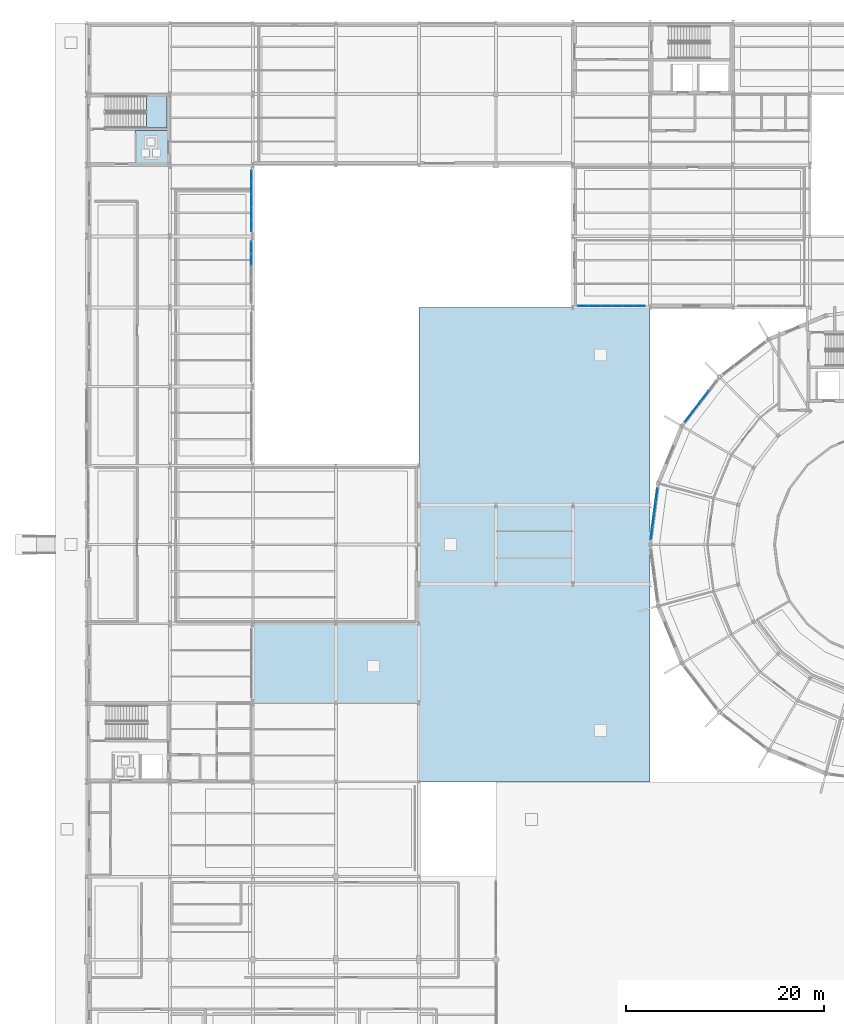
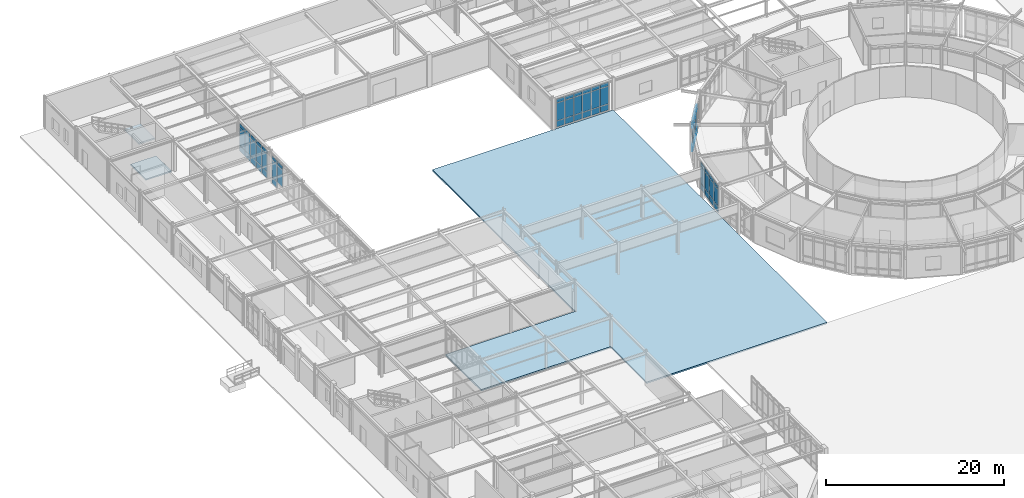
# One storey, part 67 of 101: 59 plates, 3 slabs, 6 elements without a shape of their own.
"""IFC4 building model written with IfcOpenShell, lengths in metres."""

import ifcopenshell
import ifcopenshell.guid

model = None  # the IFC model being written
_history = None  # IfcOwnerHistory: only IFC2X3 demands one
_inside = {}  # id of a spatial element -> (the spatial element, [elements in it])
_under = {}  # id of a project, library or spatial element -> (it, [spatial elements below it])
_declared = {}  # id of a project -> (the project, [libraries it declares])
_typed = {}  # id of a type object -> (the type object, [elements of that type])
_made_of = {}  # id of a material, layer set ... -> (it, [elements and type objects made of it])


def new_model(schema):
    """Start an empty IFC model of exactly this schema.

    Asked for "IFC4X3", IfcOpenShell would pick the latest addendum, in which some entities
    have other attributes; the version numbers below select the first issue.
    IFC2X3 requires an IfcOwnerHistory on every rooted entity: one is made here for all.
    """
    global model, _history
    if schema == "IFC4X3":
        model = ifcopenshell.file(schema_version=(4, 3, 0, 0))
    else:
        model = ifcopenshell.file(schema=schema)
    _inside.clear()
    _under.clear()
    _declared.clear()
    _typed.clear()
    _made_of.clear()
    _history = None
    if model.schema == "IFC2X3":
        org = make("IfcOrganization", Name="unknown")
        user = make(
            "IfcPersonAndOrganization",
            ThePerson=make("IfcPerson", FamilyName="unknown"),
            TheOrganization=org,
        )
        app = make(
            "IfcApplication",
            ApplicationDeveloper=org,
            Version="unknown",
            ApplicationFullName="unknown",
            ApplicationIdentifier="unknown",
        )
        _history = make(
            "IfcOwnerHistory",
            OwningUser=user,
            OwningApplication=app,
            ChangeAction="ADDED",
            CreationDate=0,
        )
    return model


def make(cls, **values):
    """One entity of the class cls with the attributes given. An attribute that is None is left unset."""
    return model.create_entity(
        cls, **{name: value for name, value in values.items() if value is not None}
    )


def rooted(cls, **values):
    """An entity with a GlobalId (a new one), such as an element, a storey or a relation."""
    return make(cls, GlobalId=ifcopenshell.guid.new(), OwnerHistory=_history, **values)


def si_unit(unit_type, name, prefix=None):
    """IfcSIUnit, for example si_unit("LENGTHUNIT", "METRE", prefix="MILLI")."""
    return make("IfcSIUnit", UnitType=unit_type, Prefix=prefix, Name=name)


def derived_unit(unit_type, elements):
    """IfcDerivedUnit: a product of units, each with its exponent."""
    return make(
        "IfcDerivedUnit",
        Elements=[
            make("IfcDerivedUnitElement", Unit=unit, Exponent=power)
            for unit, power in elements
        ],
        UnitType=unit_type,
    )


def assignment(units):
    """IfcUnitAssignment: the units of a project."""
    return None if units is None else make("IfcUnitAssignment", Units=units)


def point(xyz):
    """IfcCartesianPoint."""
    return None if xyz is None else make("IfcCartesianPoint", Coordinates=xyz)


def direction(xyz):
    """IfcDirection."""
    return None if xyz is None else make("IfcDirection", DirectionRatios=xyz)


def frame(location, z_axis=None, x_axis=None):
    """IfcAxis2Placement3D, a coordinate frame: its origin and axes. An axis left out is left unset."""
    return make(
        "IfcAxis2Placement3D",
        Location=point(location),
        Axis=direction(z_axis),
        RefDirection=direction(x_axis),
    )


def frame_2d(location, x_axis=None):
    """IfcAxis2Placement2D, a coordinate frame in the plane: its origin and x axis."""
    return make(
        "IfcAxis2Placement2D", Location=point(location), RefDirection=direction(x_axis)
    )


def origin():
    """The frame at (0, 0, 0) with its axes left unset."""
    return frame((0.0, 0.0, 0.0))


def origin_2d():
    """The frame at (0, 0) in the plane with its x axis left unset."""
    return frame_2d((0.0, 0.0))


def place(relative_to, where):
    """IfcLocalPlacement: puts the frame where relative to a parent placement (None: the world)."""
    return make(
        "IfcLocalPlacement", PlacementRelTo=relative_to, RelativePlacement=where
    )


def context(
    kind, dimensions, precision=None, world=None, true_north=None, identifier=None
):
    """IfcGeometricRepresentationContext, for example the 3D "Model" context."""
    return make(
        "IfcGeometricRepresentationContext",
        ContextIdentifier=identifier,
        ContextType=kind,
        CoordinateSpaceDimension=dimensions,
        Precision=precision,
        WorldCoordinateSystem=world,
        TrueNorth=true_north,
    )


def subcontext(parent, identifier, kind, view, scale=None):
    """IfcGeometricRepresentationSubContext, for example "Body" below "Model"."""
    return make(
        "IfcGeometricRepresentationSubContext",
        ContextIdentifier=identifier,
        ContextType=kind,
        ParentContext=parent,
        TargetScale=scale,
        TargetView=view,
    )


def project(units=None, contexts=None):
    """IfcProject with its units and contexts."""
    return rooted(
        "IfcProject",
        Name="project",
        RepresentationContexts=contexts,
        UnitsInContext=assignment(units),
    )


def spatial(cls, under=None, at=None, **own):
    """A site, building, storey or space (cls), placed at a placement, below another one or the project."""
    s = rooted(cls, ObjectPlacement=at, **own)
    if under is not None:
        _under.setdefault(under.id(), (under, []))[1].append(s)
    return s


def polyline(points):
    """IfcPolyline through the points."""
    return make("IfcPolyline", Points=[point(p) for p in points])


def profile(cls, at=None, kind="AREA", **sizes):
    """A parametric profile (cls). Its sizes go by their IFC names, for example OverallWidth=200.0."""
    return make(cls, ProfileType=kind, Position=at, **sizes)


def rectangle(**sizes):
    """IfcRectangleProfileDef."""
    return profile("IfcRectangleProfileDef", **sizes)


def outline(outer, holes=None, kind="AREA"):
    """IfcArbitraryClosedProfileDef: a profile drawn as a closed curve; with holes, ...WithVoids."""
    if holes is None:
        return make("IfcArbitraryClosedProfileDef", ProfileType=kind, OuterCurve=outer)
    return make(
        "IfcArbitraryProfileDefWithVoids",
        ProfileType=kind,
        OuterCurve=outer,
        InnerCurves=holes,
    )


def extrude(swept, where, along, depth):
    """IfcExtrudedAreaSolid: the profile swept, set in the frame where, extruded along a direction by depth."""
    return make(
        "IfcExtrudedAreaSolid",
        SweptArea=swept,
        Position=where,
        ExtrudedDirection=direction(along),
        Depth=depth,
    )


def shape(context_of_items, identifier, shape_type, items):
    """IfcShapeRepresentation: the items that make up one representation, for example the "Body"."""
    return make(
        "IfcShapeRepresentation",
        ContextOfItems=context_of_items,
        RepresentationIdentifier=identifier,
        RepresentationType=shape_type,
        Items=items,
    )


def material(Name=None, Category=None):
    """IfcMaterial."""
    return make("IfcMaterial", Name=Name, Category=Category)


def layer(
    of_material, thickness, ventilated=None, Name=None, Category=None, Priority=None
):
    """IfcMaterialLayer: one layer of a wall or slab, of a material (None: an air gap)."""
    return make(
        "IfcMaterialLayer",
        Material=of_material,
        LayerThickness=thickness,
        IsVentilated=ventilated,
        Name=Name,
        Category=Category,
        Priority=Priority,
    )


def layer_set(layers, Name=None):
    """IfcMaterialLayerSet."""
    return make("IfcMaterialLayerSet", MaterialLayers=layers, LayerSetName=Name)


def made_of(thing, what):
    """Note that an element or type object is made of a material, layer set ...; save() writes the relation."""
    if what is not None:
        _made_of.setdefault(what.id(), (what, []))[1].append(thing)
    return thing


def type_object(cls, material=None, **own):
    """A type object (cls), such as IfcWallType, which elements share."""
    return made_of(rooted(cls, **own), material)


def element(
    cls,
    number,
    at=None,
    inside=None,
    cuts=None,
    type_object=None,
    material=None,
    context=None,
    identifier="Body",
    shape_type=None,
    held_by="IfcProductDefinitionShape",
    body=None,
    shapes=None,
    **own,
):
    """One element of the class cls, such as IfcWall. Its Tag is "e" and its number.

    at: its placement. inside: the storey or other place that contains it. cuts: it is an
    opening in that element (IfcRelVoidsElement). A single representation is given by context,
    identifier, shape_type and body (its items); several are given by shapes. held_by: the class
    of the entity that holds the representations. save() writes the other relations.
    """
    e = rooted(cls, Tag="e%d" % number, ObjectPlacement=at, **own)
    if body is not None:
        shapes = [shape(context, identifier, shape_type, body)]
    if shapes is not None:
        e.Representation = make(held_by, Representations=shapes)
    if inside is not None:
        _inside.setdefault(inside.id(), (inside, []))[1].append(e)
    if cuts is not None:
        rooted(
            "IfcRelVoidsElement", RelatingBuildingElement=cuts, RelatedOpeningElement=e
        )
    if type_object is not None:
        _typed.setdefault(type_object.id(), (type_object, []))[1].append(e)
    return made_of(e, material)


def aggregate(whole, parts):
    """IfcRelAggregates: a whole, such as a stair, and the parts it consists of."""
    return rooted("IfcRelAggregates", RelatingObject=whole, RelatedObjects=parts)


def save(model, path):
    """Write the relations noted so far, then the file.

    IfcRelAggregates (storeys below a building ...), IfcRelContainedInSpatialStructure (elements
    in a storey), IfcRelDefinesByType, IfcRelAssociatesMaterial and IfcRelDeclares: one each for
    every whole, place, type object, material and project.
    """
    for whole, parts in _under.values():
        aggregate(whole, parts)
    for where, things in _inside.values():
        rooted(
            "IfcRelContainedInSpatialStructure",
            RelatedElements=things,
            RelatingStructure=where,
        )
    for kind, things in _typed.values():
        rooted("IfcRelDefinesByType", RelatedObjects=things, RelatingType=kind)
    for what, things in _made_of.values():
        rooted("IfcRelAssociatesMaterial", RelatedObjects=things, RelatingMaterial=what)
    for by, libraries in _declared.values():
        rooted("IfcRelDeclares", RelatingContext=by, RelatedDefinitions=libraries)
    model.write(path)


model = new_model("IFC4")

# Units and contexts
model_context = context("Model", 3, precision=1e-05, world=origin(), true_north=direction((0.0, 1.0)))
body_context = subcontext(model_context, "Body", "Model", "MODEL_VIEW")
ifc_project = project(units=[si_unit("LENGTHUNIT", "METRE"), si_unit("AREAUNIT", "SQUARE_METRE"), si_unit("VOLUMEUNIT", "CUBIC_METRE"), si_unit("PLANEANGLEUNIT", "RADIAN"), si_unit("MASSUNIT", "GRAM", prefix="KILO"), derived_unit("THERMALTRANSMITTANCEUNIT", [(si_unit("POWERUNIT", "WATT"), 1), (si_unit("AREAUNIT", "SQUARE_METRE"), -1), (si_unit("THERMODYNAMICTEMPERATUREUNIT", "KELVIN"), -1)])], contexts=[model_context])

# Site, building, storey
site_placement = place(None, origin())
site = spatial("IfcSite", under=ifc_project, at=site_placement, CompositionType="ELEMENT")
building_placement = place(site_placement, origin())
building = spatial("IfcBuilding", under=site, at=building_placement, Name="Yasenodar Specialist Clinic", CompositionType="ELEMENT")
storey_placement = place(building_placement, origin())
storey = spatial("IfcBuildingStorey", under=building, at=storey_placement, Name="L00", CompositionType="ELEMENT", Elevation=0.0)

# Curtain wall, plates
ifc_material_1 = material(Name="Bronze Anodized Aluminium and Triple Low-E Glass", Category="aluminium")
ifc_layer_1 = layer(ifc_material_1, 0.1669921875)
ifc_layer_set_1 = layer_set([ifc_layer_1], Name="Bronze Anodized Aluminium and Triple Low-E Glass")
curtain_wall_type_1 = type_object("IfcCurtainWallType", Name="CW-SYS-01", PredefinedType="USERDEFINED", material=ifc_layer_set_1)
curtain_wall_1_placement = place(storey_placement, origin())
curtain_wall_1 = element("IfcCurtainWall", 1, at=curtain_wall_1_placement, inside=storey, type_object=curtain_wall_type_1, Name="L00 Unitised Curtain Wall 005", ObjectType="UNITISED CURTAIN WALL", PredefinedType="USERDEFINED")
ifc_material_2 = material(Name="Triple Low-E Argon Glazing", Category="glass")
ifc_layer_2 = layer(ifc_material_2, 0.033935546875)
ifc_layer_set_2 = layer_set([ifc_layer_2], Name="Triple Low-E Argon Glazing")
plate_type_1 = type_object("IfcPlateType", Name="CW-PAN-2", PredefinedType="CURTAIN_PANEL", material=ifc_layer_set_2)
plate_1_placement = place(storey_placement, frame((60.922607421875, 71.7216796875, 0.074951171875), z_axis=(0.0, 0.0, 1.0), x_axis=(0.608752021844, 0.793360558574, 0.0)))
plate_1 = element("IfcPlate", 2, at=plate_1_placement, type_object=plate_type_1, Name="CW-01 panel 1.1", PredefinedType="CURTAIN_PANEL", context=body_context, shape_type="SweptSolid", body=[
    extrude(rectangle(XDim=1.2138671875, YDim=0.033935546875, at=origin_2d()), origin(), (0.0, 0.0, 1.0), 0.78759765625),
])
plate_2_placement = place(storey_placement, frame((60.922607421875, 71.7216796875, 0.9375), z_axis=(0.0, 0.0, 1.0), x_axis=(0.608752021844, 0.793360558574, 0.0)))
plate_2 = element("IfcPlate", 3, at=plate_2_placement, type_object=plate_type_1, Name="CW-01 panel 1.2", PredefinedType="CURTAIN_PANEL", context=body_context, shape_type="SweptSolid", body=[
    extrude(rectangle(XDim=1.2138671875, YDim=0.033935546875, at=origin_2d()), origin(), (0.0, 0.0, 1.0), 2.262939453125),
])
plate_3_placement = place(storey_placement, frame((60.922607421875, 71.7216796875, 3.275390625), z_axis=(0.0, 0.0, 1.0), x_axis=(0.608752021844, 0.793360558574, 0.0)))
plate_3 = element("IfcPlate", 4, at=plate_3_placement, type_object=plate_type_1, Name="CW-01 panel 1.3", PredefinedType="CURTAIN_PANEL", context=body_context, shape_type="SweptSolid", body=[
    extrude(rectangle(XDim=1.2138671875, YDim=0.033935546875, at=origin_2d()), origin(), (0.0, 0.0, 1.0), 0.487548828125),
])
plate_4_placement = place(storey_placement, frame((61.71875, 72.75927734375, 0.074951171875), z_axis=(0.0, 0.0, 1.0), x_axis=(0.608752021844, 0.793360558574, 0.0)))
plate_4 = element("IfcPlate", 5, at=plate_4_placement, type_object=plate_type_1, Name="CW-01 panel 2.1", PredefinedType="CURTAIN_PANEL", context=body_context, shape_type="SweptSolid", body=[
    extrude(rectangle(XDim=1.251220703125, YDim=0.033935546875, at=origin_2d()), origin(), (0.0, 0.0, 1.0), 0.78759765625),
])
plate_5_placement = place(storey_placement, frame((61.71875, 72.75927734375, 0.9375), z_axis=(0.0, 0.0, 1.0), x_axis=(0.608752021844, 0.793360558574, 0.0)))
plate_5 = element("IfcPlate", 6, at=plate_5_placement, type_object=plate_type_1, Name="CW-01 panel 2.2", PredefinedType="CURTAIN_PANEL", context=body_context, shape_type="SweptSolid", body=[
    extrude(rectangle(XDim=1.251220703125, YDim=0.033935546875, at=origin_2d()), origin(), (0.0, 0.0, 1.0), 2.262939453125),
])
plate_6_placement = place(storey_placement, frame((61.71875, 72.75927734375, 3.275390625), z_axis=(0.0, 0.0, 1.0), x_axis=(0.608752021844, 0.793360558574, 0.0)))
plate_6 = element("IfcPlate", 7, at=plate_6_placement, type_object=plate_type_1, Name="CW-01 panel 2.3", PredefinedType="CURTAIN_PANEL", context=body_context, shape_type="SweptSolid", body=[
    extrude(rectangle(XDim=1.251220703125, YDim=0.033935546875, at=origin_2d()), origin(), (0.0, 0.0, 1.0), 0.487548828125),
])
plate_7_placement = place(storey_placement, frame((62.526123046875, 73.8115234375, 0.074951171875), z_axis=(0.0, 0.0, 1.0), x_axis=(0.608752021844, 0.793360558574, 0.0)))
plate_7 = element("IfcPlate", 8, at=plate_7_placement, type_object=plate_type_1, Name="CW-01 panel 3.1", PredefinedType="CURTAIN_PANEL", context=body_context, shape_type="SweptSolid", body=[
    extrude(rectangle(XDim=1.251220703125, YDim=0.033935546875, at=origin_2d()), origin(), (0.0, 0.0, 1.0), 0.78759765625),
])
plate_8_placement = place(storey_placement, frame((62.526123046875, 73.8115234375, 0.9375), z_axis=(0.0, 0.0, 1.0), x_axis=(0.608752021844, 0.793360558574, 0.0)))
plate_8 = element("IfcPlate", 9, at=plate_8_placement, type_object=plate_type_1, Name="CW-01 panel 3.2", PredefinedType="CURTAIN_PANEL", context=body_context, shape_type="SweptSolid", body=[
    extrude(rectangle(XDim=1.251220703125, YDim=0.033935546875, at=origin_2d()), origin(), (0.0, 0.0, 1.0), 2.262939453125),
])
plate_9_placement = place(storey_placement, frame((62.526123046875, 73.8115234375, 3.275390625), z_axis=(0.0, 0.0, 1.0), x_axis=(0.608752021844, 0.793360558574, 0.0)))
plate_9 = element("IfcPlate", 10, at=plate_9_placement, type_object=plate_type_1, Name="CW-01 panel 3.3", PredefinedType="CURTAIN_PANEL", context=body_context, shape_type="SweptSolid", body=[
    extrude(rectangle(XDim=1.251220703125, YDim=0.033935546875, at=origin_2d()), origin(), (0.0, 0.0, 1.0), 0.487548828125),
])
aggregate(curtain_wall_1, [plate_1, plate_2, plate_3, plate_4, plate_5, plate_6, plate_7, plate_8, plate_9])

ifc_layer_3 = layer(ifc_material_1, 0.215087890625)
ifc_layer_set_3 = layer_set([ifc_layer_3], Name="Bronze Anodized Aluminium and Triple Low-E Glass")
curtain_wall_type_2 = type_object("IfcCurtainWallType", Name="CW-SYS-05", PredefinedType="USERDEFINED", material=ifc_layer_set_3)
curtain_wall_2_placement = place(storey_placement, origin())
curtain_wall_2 = element("IfcCurtainWall", 11, at=curtain_wall_2_placement, inside=storey, type_object=curtain_wall_type_2, Name="L00 Unitised Curtain Wall 149", ObjectType="UNITISED CURTAIN WALL", PredefinedType="USERDEFINED")
plate_10_placement = place(storey_placement, frame((55.93505859375, 82.969970703125, 0.06005859375), z_axis=(0.0, 0.0, 1.0), x_axis=(-1.0, 0.0, 0.0)))
plate_10 = element("IfcPlate", 12, at=plate_10_placement, type_object=plate_type_1, Name="CW-05 panel 1.1", PredefinedType="CURTAIN_PANEL", context=body_context, shape_type="SweptSolid", body=[
    extrude(rectangle(XDim=1.050048828125, YDim=0.033935546875, at=origin_2d()), origin(), (0.0, 0.0, 1.0), 0.81005859375),
])
plate_11_placement = place(storey_placement, frame((55.93505859375, 82.969970703125, 0.929931640625), z_axis=(0.0, 0.0, 1.0), x_axis=(-1.0, 0.0, 0.0)))
plate_11 = element("IfcPlate", 13, at=plate_11_placement, type_object=plate_type_1, Name="CW-05 panel 1.2", PredefinedType="CURTAIN_PANEL", context=body_context, shape_type="SweptSolid", body=[
    extrude(rectangle(XDim=1.050048828125, YDim=0.033935546875, at=origin_2d()), origin(), (0.0, 0.0, 1.0), 2.39794921875),
])
plate_12_placement = place(storey_placement, frame((55.93505859375, 82.969970703125, 3.38818359375), z_axis=(0.0, 0.0, 1.0), x_axis=(-1.0, 0.0, 0.0)))
plate_12 = element("IfcPlate", 14, at=plate_12_placement, type_object=plate_type_1, Name="CW-05 panel 1.3", PredefinedType="CURTAIN_PANEL", context=body_context, shape_type="SweptSolid", body=[
    extrude(rectangle(XDim=1.050048828125, YDim=0.033935546875, at=origin_2d()), origin(), (0.0, 0.0, 1.0), 0.510009765625),
])
plate_13_placement = place(storey_placement, frame((54.81005859375, 82.969970703125, 0.06005859375), z_axis=(0.0, 0.0, 1.0), x_axis=(-1.0, 0.0, 0.0)))
plate_13 = element("IfcPlate", 15, at=plate_13_placement, type_object=plate_type_1, Name="CW-05 panel 2.1", PredefinedType="CURTAIN_PANEL", context=body_context, shape_type="SweptSolid", body=[
    extrude(rectangle(XDim=1.080078125, YDim=0.033935546875, at=origin_2d()), origin(), (0.0, 0.0, 1.0), 0.81005859375),
])
plate_14_placement = place(storey_placement, frame((54.81005859375, 82.969970703125, 0.929931640625), z_axis=(0.0, 0.0, 1.0), x_axis=(-1.0, 0.0, 0.0)))
plate_14 = element("IfcPlate", 16, at=plate_14_placement, type_object=plate_type_1, Name="CW-05 panel 2.2", PredefinedType="CURTAIN_PANEL", context=body_context, shape_type="SweptSolid", body=[
    extrude(rectangle(XDim=1.080078125, YDim=0.033935546875, at=origin_2d()), origin(), (0.0, 0.0, 1.0), 2.39794921875),
])
plate_15_placement = place(storey_placement, frame((54.81005859375, 82.969970703125, 3.38818359375), z_axis=(0.0, 0.0, 1.0), x_axis=(-1.0, 0.0, 0.0)))
plate_15 = element("IfcPlate", 17, at=plate_15_placement, type_object=plate_type_1, Name="CW-05 panel 2.3", PredefinedType="CURTAIN_PANEL", context=body_context, shape_type="SweptSolid", body=[
    extrude(rectangle(XDim=1.080078125, YDim=0.033935546875, at=origin_2d()), origin(), (0.0, 0.0, 1.0), 0.510009765625),
])
plate_16_placement = place(storey_placement, frame((53.669921875, 82.969970703125, 0.06005859375), z_axis=(0.0, 0.0, 1.0), x_axis=(-1.0, 0.0, 0.0)))
plate_16 = element("IfcPlate", 18, at=plate_16_placement, type_object=plate_type_1, Name="CW-05 panel 3.1", PredefinedType="CURTAIN_PANEL", context=body_context, shape_type="SweptSolid", body=[
    extrude(rectangle(XDim=1.080078125, YDim=0.033935546875, at=origin_2d()), origin(), (0.0, 0.0, 1.0), 0.81005859375),
])
plate_17_placement = place(storey_placement, frame((53.669921875, 82.969970703125, 0.929931640625), z_axis=(0.0, 0.0, 1.0), x_axis=(-1.0, 0.0, 0.0)))
plate_17 = element("IfcPlate", 19, at=plate_17_placement, type_object=plate_type_1, Name="CW-05 panel 3.2", PredefinedType="CURTAIN_PANEL", context=body_context, shape_type="SweptSolid", body=[
    extrude(rectangle(XDim=1.080078125, YDim=0.033935546875, at=origin_2d()), origin(), (0.0, 0.0, 1.0), 2.39794921875),
])
plate_18_placement = place(storey_placement, frame((53.669921875, 82.969970703125, 3.38818359375), z_axis=(0.0, 0.0, 1.0), x_axis=(-1.0, 0.0, 0.0)))
plate_18 = element("IfcPlate", 20, at=plate_18_placement, type_object=plate_type_1, Name="CW-05 panel 3.3", PredefinedType="CURTAIN_PANEL", context=body_context, shape_type="SweptSolid", body=[
    extrude(rectangle(XDim=1.080078125, YDim=0.033935546875, at=origin_2d()), origin(), (0.0, 0.0, 1.0), 0.510009765625),
])
plate_19_placement = place(storey_placement, frame((52.530029296875, 82.969970703125, 0.06005859375), z_axis=(0.0, 0.0, 1.0), x_axis=(-1.0, 0.0, 0.0)))
plate_19 = element("IfcPlate", 21, at=plate_19_placement, type_object=plate_type_1, Name="CW-05 panel 4.1", PredefinedType="CURTAIN_PANEL", context=body_context, shape_type="SweptSolid", body=[
    extrude(rectangle(XDim=1.080078125, YDim=0.033935546875, at=origin_2d()), origin(), (0.0, 0.0, 1.0), 0.81005859375),
])
plate_20_placement = place(storey_placement, frame((52.530029296875, 82.969970703125, 0.929931640625), z_axis=(0.0, 0.0, 1.0), x_axis=(-1.0, 0.0, 0.0)))
plate_20 = element("IfcPlate", 22, at=plate_20_placement, type_object=plate_type_1, Name="CW-05 panel 4.2", PredefinedType="CURTAIN_PANEL", context=body_context, shape_type="SweptSolid", body=[
    extrude(rectangle(XDim=1.080078125, YDim=0.033935546875, at=origin_2d()), origin(), (0.0, 0.0, 1.0), 2.39794921875),
])
plate_21_placement = place(storey_placement, frame((52.530029296875, 82.969970703125, 3.38818359375), z_axis=(0.0, 0.0, 1.0), x_axis=(-1.0, 0.0, 0.0)))
plate_21 = element("IfcPlate", 23, at=plate_21_placement, type_object=plate_type_1, Name="CW-05 panel 4.3", PredefinedType="CURTAIN_PANEL", context=body_context, shape_type="SweptSolid", body=[
    extrude(rectangle(XDim=1.080078125, YDim=0.033935546875, at=origin_2d()), origin(), (0.0, 0.0, 1.0), 0.510009765625),
])
plate_22_placement = place(storey_placement, frame((51.389892578125, 82.969970703125, 0.06005859375), z_axis=(0.0, 0.0, 1.0), x_axis=(-1.0, 0.0, 0.0)))
plate_22 = element("IfcPlate", 24, at=plate_22_placement, type_object=plate_type_1, Name="CW-05 panel 5.1", PredefinedType="CURTAIN_PANEL", context=body_context, shape_type="SweptSolid", body=[
    extrude(rectangle(XDim=1.080078125, YDim=0.033935546875, at=origin_2d()), origin(), (0.0, 0.0, 1.0), 0.81005859375),
])
plate_23_placement = place(storey_placement, frame((51.389892578125, 82.969970703125, 0.929931640625), z_axis=(0.0, 0.0, 1.0), x_axis=(-1.0, 0.0, 0.0)))
plate_23 = element("IfcPlate", 25, at=plate_23_placement, type_object=plate_type_1, Name="CW-05 panel 5.2", PredefinedType="CURTAIN_PANEL", context=body_context, shape_type="SweptSolid", body=[
    extrude(rectangle(XDim=1.080078125, YDim=0.033935546875, at=origin_2d()), origin(), (0.0, 0.0, 1.0), 2.39794921875),
])
plate_24_placement = place(storey_placement, frame((51.389892578125, 82.969970703125, 3.38818359375), z_axis=(0.0, 0.0, 1.0), x_axis=(-1.0, 0.0, 0.0)))
plate_24 = element("IfcPlate", 26, at=plate_24_placement, type_object=plate_type_1, Name="CW-05 panel 5.3", PredefinedType="CURTAIN_PANEL", context=body_context, shape_type="SweptSolid", body=[
    extrude(rectangle(XDim=1.080078125, YDim=0.033935546875, at=origin_2d()), origin(), (0.0, 0.0, 1.0), 0.510009765625),
])
plate_25_placement = place(storey_placement, frame((50.264892578125, 82.969970703125, 0.06005859375), z_axis=(0.0, 0.0, 1.0), x_axis=(-1.0, 0.0, 0.0)))
plate_25 = element("IfcPlate", 27, at=plate_25_placement, type_object=plate_type_1, Name="CW-05 panel 6.1", PredefinedType="CURTAIN_PANEL", context=body_context, shape_type="SweptSolid", body=[
    extrude(rectangle(XDim=1.050048828125, YDim=0.033935546875, at=origin_2d()), origin(), (0.0, 0.0, 1.0), 0.81005859375),
])
plate_26_placement = place(storey_placement, frame((50.264892578125, 82.969970703125, 0.929931640625), z_axis=(0.0, 0.0, 1.0), x_axis=(-1.0, 0.0, 0.0)))
plate_26 = element("IfcPlate", 28, at=plate_26_placement, type_object=plate_type_1, Name="CW-05 panel 6.2", PredefinedType="CURTAIN_PANEL", context=body_context, shape_type="SweptSolid", body=[
    extrude(rectangle(XDim=1.050048828125, YDim=0.033935546875, at=origin_2d()), origin(), (0.0, 0.0, 1.0), 2.39794921875),
])
plate_27_placement = place(storey_placement, frame((50.264892578125, 82.969970703125, 3.38818359375), z_axis=(0.0, 0.0, 1.0), x_axis=(-1.0, 0.0, 0.0)))
plate_27 = element("IfcPlate", 29, at=plate_27_placement, type_object=plate_type_1, Name="CW-05 panel 6.3", PredefinedType="CURTAIN_PANEL", context=body_context, shape_type="SweptSolid", body=[
    extrude(rectangle(XDim=1.050048828125, YDim=0.033935546875, at=origin_2d()), origin(), (0.0, 0.0, 1.0), 0.510009765625),
])
aggregate(curtain_wall_2, [plate_10, plate_11, plate_12, plate_13, plate_14, plate_15, plate_16, plate_17, plate_18, plate_19, plate_20, plate_21, plate_22, plate_23, plate_24, plate_25, plate_26, plate_27])

curtain_wall_3_placement = place(storey_placement, origin())
curtain_wall_3 = element("IfcCurtainWall", 30, at=curtain_wall_3_placement, inside=storey, type_object=curtain_wall_type_1, Name="L00 Unitised Curtain Wall 006", ObjectType="UNITISED CURTAIN WALL", PredefinedType="USERDEFINED")
ifc_layer_4 = layer(ifc_material_2, 0.0400390625)
ifc_layer_set_4 = layer_set([ifc_layer_4], Name="Triple Low-E Argon Glazing")
plate_type_2 = type_object("IfcPlateType", Name="CW-PAN-3", PredefinedType="CURTAIN_PANEL", material=ifc_layer_set_4)
plate_28_placement = place(storey_placement, frame((57.151611328125, 59.95068359375, 0.070068359375), z_axis=(0.0, 0.0, 1.0), x_axis=(0.13051156024, 0.991446787601, 0.0)))
plate_28 = element("IfcPlate", 31, at=plate_28_placement, type_object=plate_type_2, Name="CW-01 panel 1.1", PredefinedType="CURTAIN_PANEL", context=body_context, shape_type="SweptSolid", body=[
    extrude(rectangle(XDim=1.221435546875, YDim=0.0400390625, at=origin_2d()), origin(), (0.0, 0.0, 1.0), 0.794921875),
])
plate_29_placement = place(storey_placement, frame((57.151611328125, 59.95068359375, 0.93505859375), z_axis=(0.0, 0.0, 1.0), x_axis=(0.13051156024, 0.991446787601, 0.0)))
plate_29 = element("IfcPlate", 32, at=plate_29_placement, type_object=plate_type_2, Name="CW-01 panel 1.2", PredefinedType="CURTAIN_PANEL", context=body_context, shape_type="SweptSolid", body=[
    extrude(rectangle(XDim=1.221435546875, YDim=0.0400390625, at=origin_2d()), origin(), (0.0, 0.0, 1.0), 2.26806640625),
])
plate_30_placement = place(storey_placement, frame((57.151611328125, 59.95068359375, 3.27294921875), z_axis=(0.0, 0.0, 1.0), x_axis=(0.13051156024, 0.991446787601, 0.0)))
plate_30 = element("IfcPlate", 33, at=plate_30_placement, type_object=plate_type_2, Name="CW-01 panel 1.3", PredefinedType="CURTAIN_PANEL", context=body_context, shape_type="SweptSolid", body=[
    extrude(rectangle(XDim=1.221435546875, YDim=0.0400390625, at=origin_2d()), origin(), (0.0, 0.0, 1.0), 0.4951171875),
])
plate_31_placement = place(storey_placement, frame((57.322265625, 61.248291015625, 0.070068359375), z_axis=(0.0, 0.0, 1.0), x_axis=(0.13051156024, 0.991446787601, 0.0)))
plate_31 = element("IfcPlate", 34, at=plate_31_placement, type_object=plate_type_2, Name="CW-01 panel 2.1", PredefinedType="CURTAIN_PANEL", context=body_context, shape_type="SweptSolid", body=[
    extrude(rectangle(XDim=1.25634765625, YDim=0.0400390625, at=origin_2d()), origin(), (0.0, 0.0, 1.0), 0.794921875),
])
plate_32_placement = place(storey_placement, frame((57.322265625, 61.248291015625, 0.93505859375), z_axis=(0.0, 0.0, 1.0), x_axis=(0.13051156024, 0.991446787601, 0.0)))
plate_32 = element("IfcPlate", 35, at=plate_32_placement, type_object=plate_type_2, Name="CW-01 panel 2.2", PredefinedType="CURTAIN_PANEL", context=body_context, shape_type="SweptSolid", body=[
    extrude(rectangle(XDim=1.25634765625, YDim=0.0400390625, at=origin_2d()), origin(), (0.0, 0.0, 1.0), 2.26806640625),
])
plate_33_placement = place(storey_placement, frame((57.322265625, 61.248291015625, 3.27294921875), z_axis=(0.0, 0.0, 1.0), x_axis=(0.13051156024, 0.991446787601, 0.0)))
plate_33 = element("IfcPlate", 36, at=plate_33_placement, type_object=plate_type_2, Name="CW-01 panel 2.3", PredefinedType="CURTAIN_PANEL", context=body_context, shape_type="SweptSolid", body=[
    extrude(rectangle(XDim=1.25634765625, YDim=0.0400390625, at=origin_2d()), origin(), (0.0, 0.0, 1.0), 0.4951171875),
])
plate_34_placement = place(storey_placement, frame((57.495361328125, 62.563232421875, 0.070068359375), z_axis=(0.0, 0.0, 1.0), x_axis=(0.13051156024, 0.991446787601, 0.0)))
plate_34 = element("IfcPlate", 37, at=plate_34_placement, type_object=plate_type_2, Name="CW-01 panel 3.1", PredefinedType="CURTAIN_PANEL", context=body_context, shape_type="SweptSolid", body=[
    extrude(rectangle(XDim=1.25634765625, YDim=0.0400390625, at=origin_2d()), origin(), (0.0, 0.0, 1.0), 0.794921875),
])
plate_35_placement = place(storey_placement, frame((57.495361328125, 62.563232421875, 0.93505859375), z_axis=(0.0, 0.0, 1.0), x_axis=(0.13051156024, 0.991446787601, 0.0)))
plate_35 = element("IfcPlate", 38, at=plate_35_placement, type_object=plate_type_2, Name="CW-01 panel 3.2", PredefinedType="CURTAIN_PANEL", context=body_context, shape_type="SweptSolid", body=[
    extrude(rectangle(XDim=1.25634765625, YDim=0.0400390625, at=origin_2d()), origin(), (0.0, 0.0, 1.0), 2.26806640625),
])
plate_36_placement = place(storey_placement, frame((57.495361328125, 62.563232421875, 3.27294921875), z_axis=(0.0, 0.0, 1.0), x_axis=(0.13051156024, 0.991446787601, 0.0)))
plate_36 = element("IfcPlate", 39, at=plate_36_placement, type_object=plate_type_2, Name="CW-01 panel 3.3", PredefinedType="CURTAIN_PANEL", context=body_context, shape_type="SweptSolid", body=[
    extrude(rectangle(XDim=1.25634765625, YDim=0.0400390625, at=origin_2d()), origin(), (0.0, 0.0, 1.0), 0.4951171875),
])
plate_37_placement = place(storey_placement, frame((57.666259765625, 63.861083984375, 0.070068359375), z_axis=(0.0, 0.0, 1.0), x_axis=(0.13051156024, 0.991446787601, 0.0)))
plate_37 = element("IfcPlate", 40, at=plate_37_placement, type_object=plate_type_2, Name="CW-01 panel 4.1", PredefinedType="CURTAIN_PANEL", context=body_context, shape_type="SweptSolid", body=[
    extrude(rectangle(XDim=1.221435546875, YDim=0.0400390625, at=origin_2d()), origin(), (0.0, 0.0, 1.0), 0.794921875),
])
plate_38_placement = place(storey_placement, frame((57.666259765625, 63.861083984375, 0.93505859375), z_axis=(0.0, 0.0, 1.0), x_axis=(0.13051156024, 0.991446787601, 0.0)))
plate_38 = element("IfcPlate", 41, at=plate_38_placement, type_object=plate_type_2, Name="CW-01 panel 4.2", PredefinedType="CURTAIN_PANEL", context=body_context, shape_type="SweptSolid", body=[
    extrude(rectangle(XDim=1.221435546875, YDim=0.0400390625, at=origin_2d()), origin(), (0.0, 0.0, 1.0), 2.26806640625),
])
plate_39_placement = place(storey_placement, frame((57.666259765625, 63.861083984375, 3.27294921875), z_axis=(0.0, 0.0, 1.0), x_axis=(0.13051156024, 0.991446787601, 0.0)))
plate_39 = element("IfcPlate", 42, at=plate_39_placement, type_object=plate_type_2, Name="CW-01 panel 4.3", PredefinedType="CURTAIN_PANEL", context=body_context, shape_type="SweptSolid", body=[
    extrude(rectangle(XDim=1.221435546875, YDim=0.0400390625, at=origin_2d()), origin(), (0.0, 0.0, 1.0), 0.4951171875),
])
aggregate(curtain_wall_3, [plate_28, plate_29, plate_30, plate_31, plate_32, plate_33, plate_34, plate_35, plate_36, plate_37, plate_38, plate_39])

ifc_layer_5 = layer(ifc_material_1, 0.202880859375)
ifc_layer_set_5 = layer_set([ifc_layer_5], Name="Bronze Anodized Aluminium and Triple Low-E Glass")
curtain_wall_type_3 = type_object("IfcCurtainWallType", Name="CW-SYS-04", PredefinedType="USERDEFINED", material=ifc_layer_set_5)
curtain_wall_4_placement = place(storey_placement, origin())
curtain_wall_4 = element("IfcCurtainWall", 43, at=curtain_wall_4_placement, inside=storey, type_object=curtain_wall_type_3, Name="L00 Unitised Curtain Wall 114", ObjectType="UNITISED CURTAIN WALL", PredefinedType="USERDEFINED")
plate_40_placement = place(storey_placement, frame((16.64990234375, 96.0810546875, 0.06005859375), z_axis=(0.0, 0.0, 1.0), x_axis=(0.0, -1.0, 0.0)))
plate_40 = element("IfcPlate", 44, at=plate_40_placement, type_object=plate_type_2, Name="CW-04 panel 1.1", PredefinedType="CURTAIN_PANEL", context=body_context, shape_type="SweptSolid", body=[
    extrude(rectangle(XDim=1.157958984375, YDim=0.0400390625, at=origin_2d()), origin(), (0.0, 0.0, 1.0), 0.81005859375),
])
plate_41_placement = place(storey_placement, frame((16.64990234375, 96.0810546875, 0.93017578125), z_axis=(0.0, 0.0, 1.0), x_axis=(0.0, -1.0, 0.0)))
plate_41 = element("IfcPlate", 45, at=plate_41_placement, type_object=plate_type_2, Name="CW-04 panel 1.2", PredefinedType="CURTAIN_PANEL", context=body_context, shape_type="SweptSolid", body=[
    extrude(rectangle(XDim=1.157958984375, YDim=0.0400390625, at=origin_2d()), origin(), (0.0, 0.0, 1.0), 2.367919921875),
])
plate_42_placement = place(storey_placement, frame((16.64990234375, 96.0810546875, 3.35791015625), z_axis=(0.0, 0.0, 1.0), x_axis=(0.0, -1.0, 0.0)))
plate_42 = element("IfcPlate", 46, at=plate_42_placement, type_object=plate_type_2, Name="CW-04 panel 1.3", PredefinedType="CURTAIN_PANEL", context=body_context, shape_type="SweptSolid", body=[
    extrude(rectangle(XDim=1.157958984375, YDim=0.0400390625, at=origin_2d()), origin(), (0.0, 0.0, 1.0), 0.510009765625),
])
plate_43_placement = place(storey_placement, frame((16.64990234375, 94.847900390625, 0.06005859375), z_axis=(0.0, 0.0, 1.0), x_axis=(0.0, -1.0, 0.0)))
plate_43 = element("IfcPlate", 47, at=plate_43_placement, type_object=plate_type_2, Name="CW-04 panel 2.1", PredefinedType="CURTAIN_PANEL", context=body_context, shape_type="SweptSolid", body=[
    extrude(rectangle(XDim=1.18798828125, YDim=0.0400390625, at=origin_2d()), origin(), (0.0, 0.0, 1.0), 0.81005859375),
])
plate_44_placement = place(storey_placement, frame((16.64990234375, 94.847900390625, 0.93017578125), z_axis=(0.0, 0.0, 1.0), x_axis=(0.0, -1.0, 0.0)))
plate_44 = element("IfcPlate", 48, at=plate_44_placement, type_object=plate_type_2, Name="CW-04 panel 2.2", PredefinedType="CURTAIN_PANEL", context=body_context, shape_type="SweptSolid", body=[
    extrude(rectangle(XDim=1.18798828125, YDim=0.0400390625, at=origin_2d()), origin(), (0.0, 0.0, 1.0), 2.367919921875),
])
plate_45_placement = place(storey_placement, frame((16.64990234375, 94.847900390625, 3.35791015625), z_axis=(0.0, 0.0, 1.0), x_axis=(0.0, -1.0, 0.0)))
plate_45 = element("IfcPlate", 49, at=plate_45_placement, type_object=plate_type_2, Name="CW-04 panel 2.3", PredefinedType="CURTAIN_PANEL", context=body_context, shape_type="SweptSolid", body=[
    extrude(rectangle(XDim=1.18798828125, YDim=0.0400390625, at=origin_2d()), origin(), (0.0, 0.0, 1.0), 0.510009765625),
])
plate_46_placement = place(storey_placement, frame((16.64990234375, 93.60009765625, 0.06005859375), z_axis=(0.0, 0.0, 1.0), x_axis=(0.0, -1.0, 0.0)))
plate_46 = element("IfcPlate", 50, at=plate_46_placement, type_object=plate_type_2, Name="CW-04 panel 3.1", PredefinedType="CURTAIN_PANEL", context=body_context, shape_type="SweptSolid", body=[
    extrude(rectangle(XDim=1.18798828125, YDim=0.0400390625, at=origin_2d()), origin(), (0.0, 0.0, 1.0), 0.81005859375),
])
plate_47_placement = place(storey_placement, frame((16.64990234375, 93.60009765625, 0.93017578125), z_axis=(0.0, 0.0, 1.0), x_axis=(0.0, -1.0, 0.0)))
plate_47 = element("IfcPlate", 51, at=plate_47_placement, type_object=plate_type_2, Name="CW-04 panel 3.2", PredefinedType="CURTAIN_PANEL", context=body_context, shape_type="SweptSolid", body=[
    extrude(rectangle(XDim=1.18798828125, YDim=0.0400390625, at=origin_2d()), origin(), (0.0, 0.0, 1.0), 2.367919921875),
])
plate_48_placement = place(storey_placement, frame((16.64990234375, 93.60009765625, 3.35791015625), z_axis=(0.0, 0.0, 1.0), x_axis=(0.0, -1.0, 0.0)))
plate_48 = element("IfcPlate", 52, at=plate_48_placement, type_object=plate_type_2, Name="CW-04 panel 3.3", PredefinedType="CURTAIN_PANEL", context=body_context, shape_type="SweptSolid", body=[
    extrude(rectangle(XDim=1.18798828125, YDim=0.0400390625, at=origin_2d()), origin(), (0.0, 0.0, 1.0), 0.510009765625),
])
plate_49_placement = place(storey_placement, frame((16.64990234375, 92.35205078125, 0.06005859375), z_axis=(0.0, 0.0, 1.0), x_axis=(0.0, -1.0, 0.0)))
plate_49 = element("IfcPlate", 53, at=plate_49_placement, type_object=plate_type_2, Name="CW-04 panel 4.1", PredefinedType="CURTAIN_PANEL", context=body_context, shape_type="SweptSolid", body=[
    extrude(rectangle(XDim=1.18798828125, YDim=0.0400390625, at=origin_2d()), origin(), (0.0, 0.0, 1.0), 0.81005859375),
])
plate_50_placement = place(storey_placement, frame((16.64990234375, 92.35205078125, 0.93017578125), z_axis=(0.0, 0.0, 1.0), x_axis=(0.0, -1.0, 0.0)))
plate_50 = element("IfcPlate", 54, at=plate_50_placement, type_object=plate_type_2, Name="CW-04 panel 4.2", PredefinedType="CURTAIN_PANEL", context=body_context, shape_type="SweptSolid", body=[
    extrude(rectangle(XDim=1.18798828125, YDim=0.0400390625, at=origin_2d()), origin(), (0.0, 0.0, 1.0), 2.367919921875),
])
plate_51_placement = place(storey_placement, frame((16.64990234375, 92.35205078125, 3.35791015625), z_axis=(0.0, 0.0, 1.0), x_axis=(0.0, -1.0, 0.0)))
plate_51 = element("IfcPlate", 55, at=plate_51_placement, type_object=plate_type_2, Name="CW-04 panel 4.3", PredefinedType="CURTAIN_PANEL", context=body_context, shape_type="SweptSolid", body=[
    extrude(rectangle(XDim=1.18798828125, YDim=0.0400390625, at=origin_2d()), origin(), (0.0, 0.0, 1.0), 0.510009765625),
])
plate_52_placement = place(storey_placement, frame((16.64990234375, 91.118896484375, 0.06005859375), z_axis=(0.0, 0.0, 1.0), x_axis=(0.0, -1.0, 0.0)))
plate_52 = element("IfcPlate", 56, at=plate_52_placement, type_object=plate_type_2, Name="CW-04 panel 5.1", PredefinedType="CURTAIN_PANEL", context=body_context, shape_type="SweptSolid", body=[
    extrude(rectangle(XDim=1.157958984375, YDim=0.0400390625, at=origin_2d()), origin(), (0.0, 0.0, 1.0), 0.81005859375),
])
plate_53_placement = place(storey_placement, frame((16.64990234375, 91.118896484375, 0.93017578125), z_axis=(0.0, 0.0, 1.0), x_axis=(0.0, -1.0, 0.0)))
plate_53 = element("IfcPlate", 57, at=plate_53_placement, type_object=plate_type_2, Name="CW-04 panel 5.2", PredefinedType="CURTAIN_PANEL", context=body_context, shape_type="SweptSolid", body=[
    extrude(rectangle(XDim=1.157958984375, YDim=0.0400390625, at=origin_2d()), origin(), (0.0, 0.0, 1.0), 2.367919921875),
])
plate_54_placement = place(storey_placement, frame((16.64990234375, 91.118896484375, 3.35791015625), z_axis=(0.0, 0.0, 1.0), x_axis=(0.0, -1.0, 0.0)))
plate_54 = element("IfcPlate", 58, at=plate_54_placement, type_object=plate_type_2, Name="CW-04 panel 5.3", PredefinedType="CURTAIN_PANEL", context=body_context, shape_type="SweptSolid", body=[
    extrude(rectangle(XDim=1.157958984375, YDim=0.0400390625, at=origin_2d()), origin(), (0.0, 0.0, 1.0), 0.510009765625),
])
aggregate(curtain_wall_4, [plate_40, plate_41, plate_42, plate_43, plate_44, plate_45, plate_46, plate_47, plate_48, plate_49, plate_50, plate_51, plate_52, plate_53, plate_54])

curtain_wall_5_placement = place(storey_placement, origin())
curtain_wall_5 = element("IfcCurtainWall", 59, at=curtain_wall_5_placement, inside=storey, type_object=curtain_wall_type_3, Name="L00 Unitised Curtain Wall 115", ObjectType="UNITISED CURTAIN WALL", PredefinedType="USERDEFINED")
ifc_layer_6 = layer(ifc_material_2, 0.0458984375)
ifc_layer_set_6 = layer_set([ifc_layer_6], Name="Triple Low-E Argon Glazing")
plate_type_3 = type_object("IfcPlateType", Name="CW-PAN-4", PredefinedType="CURTAIN_PANEL", material=ifc_layer_set_6)
plate_55_placement = place(storey_placement, frame((16.64990234375, 88.877197265625, 0.074951171875), z_axis=(0.0, 0.0, 1.0), x_axis=(0.0, -1.0, 0.0)))
plate_55 = element("IfcPlate", 60, at=plate_55_placement, type_object=plate_type_3, Name="CW-04 panel 1.1", PredefinedType="CURTAIN_PANEL", context=body_context, shape_type="SweptSolid", body=[
    extrude(rectangle(XDim=1.135498046875, YDim=0.0458984375, at=origin_2d()), origin(), (0.0, 0.0, 1.0), 0.78759765625),
])
plate_56_placement = place(storey_placement, frame((16.64990234375, 88.877197265625, 0.9375), z_axis=(0.0, 0.0, 1.0), x_axis=(0.0, -1.0, 0.0)))
plate_56 = element("IfcPlate", 61, at=plate_56_placement, type_object=plate_type_3, Name="CW-04 panel 1.2", PredefinedType="CURTAIN_PANEL", context=body_context, shape_type="SweptSolid", body=[
    extrude(rectangle(XDim=1.135498046875, YDim=0.0458984375, at=origin_2d()), origin(), (0.0, 0.0, 1.0), 2.31298828125),
])
plate_57_placement = place(storey_placement, frame((16.64990234375, 88.877197265625, 3.32568359375), z_axis=(0.0, 0.0, 1.0), x_axis=(0.0, -1.0, 0.0)))
plate_57 = element("IfcPlate", 62, at=plate_57_placement, type_object=plate_type_3, Name="CW-04 panel 1.3", PredefinedType="CURTAIN_PANEL", context=body_context, shape_type="SweptSolid", body=[
    extrude(rectangle(XDim=1.135498046875, YDim=0.0458984375, at=origin_2d()), origin(), (0.0, 0.0, 1.0), 0.487548828125),
])
plate_58_placement = place(storey_placement, frame((16.64990234375, 87.64794921875, 0.9375), z_axis=(0.0, 0.0, 1.0), x_axis=(0.0, -1.0, 0.0)))
plate_58 = element("IfcPlate", 63, at=plate_58_placement, type_object=plate_type_3, Name="CW-04 panel 2.2", PredefinedType="CURTAIN_PANEL", context=body_context, shape_type="SweptSolid", body=[
    extrude(rectangle(XDim=1.173095703125, YDim=0.0458984375, at=origin_2d()), origin(), (0.0, 0.0, 1.0), 2.31298828125),
])
plate_59_placement = place(storey_placement, frame((16.64990234375, 87.64794921875, 3.32568359375), z_axis=(0.0, 0.0, 1.0), x_axis=(0.0, -1.0, 0.0)))
plate_59 = element("IfcPlate", 64, at=plate_59_placement, type_object=plate_type_3, Name="CW-04 panel 2.3", PredefinedType="CURTAIN_PANEL", context=body_context, shape_type="SweptSolid", body=[
    extrude(rectangle(XDim=1.173095703125, YDim=0.0458984375, at=origin_2d()), origin(), (0.0, 0.0, 1.0), 0.487548828125),
])
aggregate(curtain_wall_5, [plate_55, plate_56, plate_57, plate_58, plate_59])

# Slabs
ifc_material_3 = material(Name="Concrete C30/37", Category="concrete")
ifc_layer_7 = layer(ifc_material_3, 0.2099609375)
ifc_layer_set_7 = layer_set([ifc_layer_7], Name="Concrete C30/37")
slab_type_1 = type_object("IfcSlabType", Name="SLB-APRON-210", PredefinedType="FLOOR", material=ifc_layer_set_7)
slab_1_placement = place(storey_placement, frame((0.0, 0.0, -0.2099609375)))
element("IfcSlab", 65, at=slab_1_placement, inside=storey, type_object=slab_type_1, Name="Central Arrival Forecourt Paving", PredefinedType="FLOOR", context=body_context, shape_type="SweptSolid", body=[
    extrude(outline(polyline([(33.60009765625, 82.800048828125), (57.0, 82.784912109375), (57.0, 58.914794921875), (56.98486328125, 58.800048828125), (57.0, 58.68505859375), (57.0, 34.800048828125), (33.614990234375, 34.800048828125), (33.614990234375, 42.81494140625), (16.81494140625, 42.81494140625), (16.81494140625, 50.784912109375), (33.614990234375, 50.784912109375), (33.60009765625, 82.800048828125)])), origin(), (0.0, 0.0, 1.0), 0.2099609375),
])
ifc_layer_8 = layer(ifc_material_3, 0.300048828125)
ifc_layer_set_8 = layer_set([ifc_layer_8], Name="Concrete C30/37")
slab_type_2 = type_object("IfcSlabType", Name="SLB-BASE-300", PredefinedType="BASESLAB", material=ifc_layer_set_8)
slab_2_placement = place(storey_placement, frame((0.0, 0.0, -0.219970703125)))
element("IfcSlab", 66, at=slab_2_placement, inside=storey, type_object=slab_type_2, Name="LF-03 Lift Pit Base Slab", PredefinedType="BASESLAB", context=body_context, shape_type="SweptSolid", body=[
    extrude(outline(polyline([(4.85009765625, 97.300048828125), (8.14990234375, 97.300048828125), (8.14990234375, 100.699951171875), (4.85009765625, 100.699951171875), (4.85009765625, 97.300048828125)])), origin(), (0.0, 0.0, 1.0), 0.169921875),
])

# Stair, slab
stair_type = type_object("IfcStairType", Name="ST-DOG-C2-30", PredefinedType="HALF_TURN_STAIR", material=ifc_material_3)
stair_placement = place(storey_placement, origin())
stair = element("IfcStair", 67, at=stair_placement, inside=storey, type_object=stair_type, Name="L00 Core C2 Exit Stair ST-02", PredefinedType="HALF_TURN_STAIR")
ifc_layer_9 = layer(ifc_material_3, 0.199951171875)
ifc_layer_set_9 = layer_set([ifc_layer_9], Name="Concrete C30/37")
slab_type_3 = type_object("IfcSlabType", Name="SLB-LND-200", PredefinedType="LANDING", material=ifc_layer_set_9)
slab_3_placement = place(storey_placement, frame((0.0, 0.0, 2.050048828125)))
slab_3 = element("IfcSlab", 68, at=slab_3_placement, type_object=slab_type_3, Name="ST-02 landing 1", PredefinedType="LANDING", context=body_context, shape_type="SweptSolid", body=[
    extrude(outline(polyline([(6.0400390625, 100.9599609375), (8.1201171875, 100.9599609375), (8.1201171875, 104.199951171875), (6.0400390625, 104.199951171875), (6.0400390625, 100.9599609375)])), origin(), (0.0, 0.0, 1.0), 0.199951171875),
])
aggregate(stair, [slab_3])

save(model, "model.ifc")
